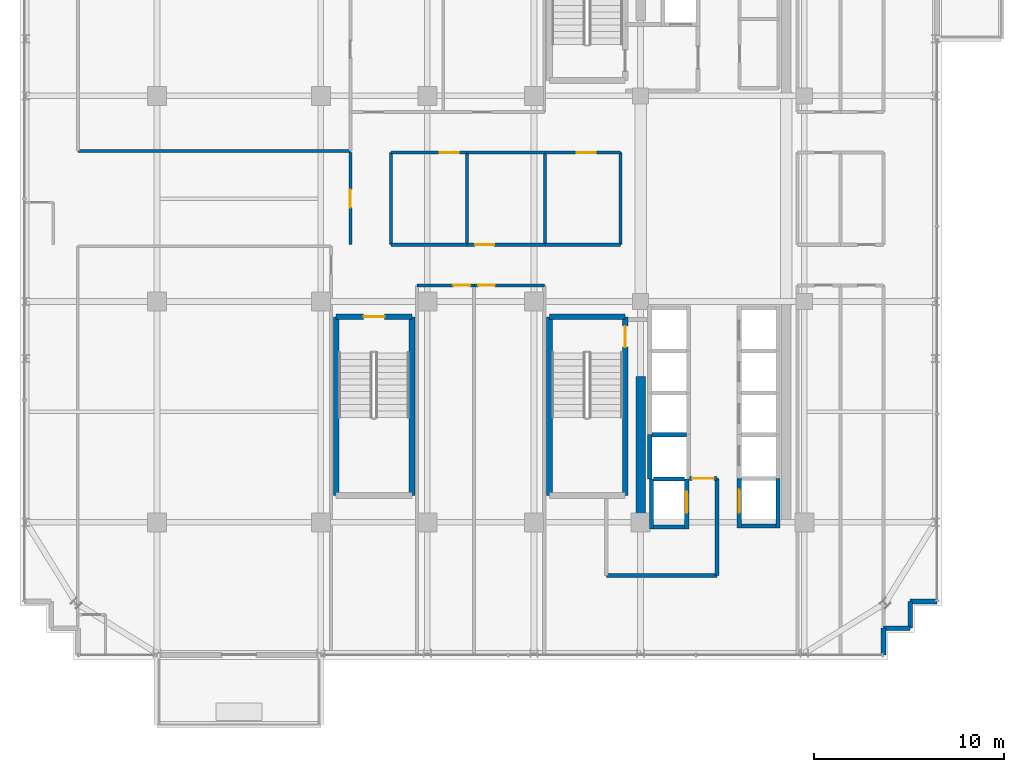
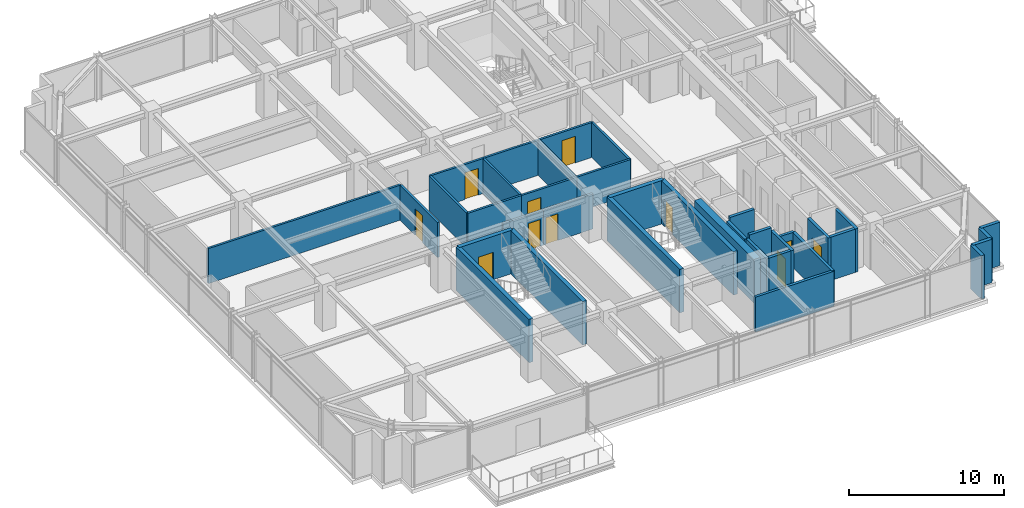
# One storey, part 30 of 36: 37 walls, 11 doors, 11 openings.
"""IFC4 building model written with IfcOpenShell, lengths in metres."""

from ifc_helpers import new_model, si_unit, direction, frame, frame_2d, origin, place, context, subcontext, project, spatial, rectangle, extrude, source, transform, mapped, material, layer, layer_set, type_object, element, fill, save


model = new_model("IFC4")

# Units and contexts
model_context = context("Model", 3, precision=1e-05, world=origin(), true_north=direction((0.0, 1.0)))
body_context = subcontext(model_context, "Body", "Model", "MODEL_VIEW")
ifc_project = project(units=[si_unit("LENGTHUNIT", "METRE"), si_unit("AREAUNIT", "SQUARE_METRE"), si_unit("VOLUMEUNIT", "CUBIC_METRE"), si_unit("PLANEANGLEUNIT", "RADIAN"), si_unit("MASSUNIT", "GRAM", prefix="KILO")], contexts=[model_context])

# Site, building, storey
site_placement = place(None, origin())
site = spatial("IfcSite", under=ifc_project, at=site_placement, CompositionType="ELEMENT")
building_placement = place(site_placement, origin())
building = spatial("IfcBuilding", under=site, at=building_placement, Name="Nahalor Promenade Grand Hotel", CompositionType="ELEMENT")
storey_placement = place(building_placement, frame((0.0, 0.0, 223.39990234375)))
storey = spatial("IfcBuildingStorey", under=building, at=storey_placement, Name="L57", CompositionType="ELEMENT", Elevation=223.39990234375)

# Walls
ifc_material_1 = material(Name="Concrete B-60 (C50/60)", Category="concrete")
ifc_layer_1 = layer(ifc_material_1, 0.5)
ifc_layer_set_1 = layer_set([ifc_layer_1], Name="Concrete B-60 (C50/60)")
wall_type_1 = type_object("IfcWallType", Name="Wall-CoreShear-500", PredefinedType="SHEAR", material=ifc_layer_set_1)
shared_shape_1 = source(origin(), body_context, "Body", "SweptSolid", [
    extrude(rectangle(XDim=7.64990234375, YDim=0.5, at=frame_2d((3.824951171875, 0.0))), origin(), (0.0, 0.0, 1.0), 3.41015625),
])
wall_1_placement = place(storey_placement, frame((8.39990234375, -17.0, 0.0), z_axis=(0.0, 0.0, 1.0), x_axis=(0.0, 1.0, 0.0)))
element("IfcWall", 1, at=wall_1_placement, inside=storey, type_object=wall_type_1, Name="CWALL-L57-SW", PredefinedType="SHEAR", context=body_context, shape_type="MappedRepresentation", body=[
    mapped(shared_shape_1, transform((0.0, 0.0, 0.0), scale=1.0)),
])
ifc_material_2 = material(Name="Concrete B-50 (C40/50)", Category="concrete")
ifc_layer_2 = layer(ifc_material_2, 0.300048828125)
ifc_layer_set_2 = layer_set([ifc_layer_2], Name="Concrete B-50 (C40/50)")
wall_type_2 = type_object("IfcWallType", Name="Wall-ShaftShear-300", PredefinedType="SHEAR", material=ifc_layer_set_2)
shared_shape_2 = source(origin(), body_context, "Body", "SweptSolid", [
    extrude(rectangle(XDim=3.97998046875, YDim=0.300048828125, at=frame_2d((1.989990234375, 0.0))), origin(), (0.0, 0.0, 1.0), 3.41015625),
])
wall_2_placement = place(storey_placement, frame((3.610107421875, -6.2099609375, 0.0), z_axis=(0.0, 0.0, 1.0), x_axis=(1.0, 0.0, 0.0)))
element("IfcWall", 2, at=wall_2_placement, inside=storey, type_object=wall_type_2, Name="L57 Exit Stair ST2 Shaft Wall N", PredefinedType="SHEAR", context=body_context, shape_type="MappedRepresentation", body=[
    mapped(shared_shape_2, transform((0.0, 0.0, 0.0), scale=1.0)),
])

# Wall, opening, door
wall_3_placement = place(storey_placement, frame((-7.590087890625, -6.2099609375, 0.0), z_axis=(0.0, 0.0, 1.0), x_axis=(1.0, 0.0, 0.0)))
wall_3 = element("IfcWall", 3, at=wall_3_placement, inside=storey, type_object=wall_type_2, Name="L57 Exit Stair ST3 Shaft Wall N", PredefinedType="SHEAR", context=body_context, shape_type="MappedRepresentation", body=[
    mapped(shared_shape_2, transform((0.0, 0.0, 0.0), scale=1.0)),
])
opening_1_placement = place(wall_3_placement, frame((1.43994140625, 0.0, 0.0)))
opening_1 = element("IfcOpeningElement", 4, at=opening_1_placement, cuts=wall_3, Name="Opening D-ST1", PredefinedType="OPENING", context=body_context, shape_type="SweptSolid", body=[
    extrude(rectangle(XDim=1.10009765625, YDim=2.14990234375, at=frame_2d((0.550048828125, 1.074951171875))), frame((0.0, 0.159912109375, 0.0), z_axis=(0.0, -1.0, 0.0), x_axis=(1.0, 0.0, 0.0)), (0.0, 0.0, 1.0), 0.320068359375),
])
ifc_material_3 = material(Name="Steel S355JR", Category="steel")
door_type_1 = type_object("IfcDoorType", Name="Door-StairFire-1100", OperationType="NOTDEFINED", PredefinedType="DOOR", material=ifc_material_3)
shared_shape_3 = source(origin(), body_context, "Body", "SweptSolid", [
    extrude(rectangle(XDim=1.10009765625, YDim=2.14990234375, at=frame_2d((0.550048828125, 1.074951171875))), frame((0.0, 0.02490234375, 0.0), z_axis=(0.0, -1.0, 0.0), x_axis=(1.0, 0.0, 0.0)), (0.0, 0.0, 1.0), 0.050048828125),
])
door_1_placement = place(opening_1_placement, frame((1.10009765625, 0.0, 0.0), z_axis=(0.0, 0.0, 1.0), x_axis=(-1.0, 0.0, 0.0)))
door_1 = element("IfcDoor", 5, at=door_1_placement, inside=storey, type_object=door_type_1, Name="DR-STAIR-ST3-L57", OperationType="SINGLE_SWING_RIGHT", OverallHeight=2.14990234375, OverallWidth=1.10009765625, PredefinedType="DOOR", context=body_context, shape_type="MappedRepresentation", body=[
    mapped(shared_shape_3, transform((0.0, 0.0, 0.0), scale=1.0)),
])
fill(opening_1, door_1)

# Wall
shared_shape_4 = source(origin(), body_context, "Body", "SweptSolid", [
    extrude(rectangle(XDim=9.380126953125, YDim=0.300048828125, at=frame_2d((4.68994140625, 0.0))), origin(), (0.0, 0.0, 1.0), 3.41015625),
])
wall_4_placement = place(storey_placement, frame((3.610107421875, -15.590087890625, 0.0), z_axis=(0.0, 0.0, 1.0), x_axis=(0.0, 1.0, 0.0)))
element("IfcWall", 6, at=wall_4_placement, inside=storey, type_object=wall_type_2, Name="L57 Exit Stair ST2 Shaft Wall W", PredefinedType="SHEAR", context=body_context, shape_type="MappedRepresentation", body=[
    mapped(shared_shape_4, transform((0.0, 0.0, 0.0), scale=1.0)),
])

# Wall, opening, door
wall_5_placement = place(storey_placement, frame((7.590087890625, -15.590087890625, 0.0), z_axis=(0.0, 0.0, 1.0), x_axis=(0.0, 1.0, 0.0)))
wall_5 = element("IfcWall", 7, at=wall_5_placement, inside=storey, type_object=wall_type_2, Name="L57 Exit Stair ST2 Shaft Wall E", PredefinedType="SHEAR", context=body_context, shape_type="MappedRepresentation", body=[
    mapped(shared_shape_4, transform((0.0, 0.0, 0.0), scale=1.0)),
])
opening_2_placement = place(wall_5_placement, frame((7.7900390625, 0.0, 0.0)))
opening_2 = element("IfcOpeningElement", 8, at=opening_2_placement, cuts=wall_5, Name="Opening D-ST1", PredefinedType="OPENING", context=body_context, shape_type="SweptSolid", body=[
    extrude(rectangle(XDim=1.10009765625, YDim=2.14990234375, at=frame_2d((0.550048828125, 1.074951171875))), frame((0.0, 0.159912109375, 0.0), z_axis=(0.0, -1.0, 0.0), x_axis=(1.0, 0.0, 0.0)), (0.0, 0.0, 1.0), 0.320068359375),
])
door_2_placement = place(opening_2_placement, origin())
door_2 = element("IfcDoor", 9, at=door_2_placement, inside=storey, type_object=door_type_1, Name="DR-STAIR-ST2-L57", OperationType="SINGLE_SWING_RIGHT", OverallHeight=2.14990234375, OverallWidth=1.10009765625, PredefinedType="DOOR", context=body_context, shape_type="MappedRepresentation", body=[
    mapped(shared_shape_3, transform((0.0, 0.0, 0.0), scale=1.0)),
])
fill(opening_2, door_2)

# Walls
for number, where, z_axis, x_axis, name in (
    (10, (-7.590087890625, -15.590087890625, 0.0), (0.0, 0.0, 1.0), (0.0, 1.0, 0.0), "L57 Exit Stair ST3 Shaft Wall W"),
    (11, (-3.610107421875, -15.590087890625, 0.0), (0.0, 0.0, 1.0), (0.0, 1.0, 0.0), "L57 Exit Stair ST3 Shaft Wall E"),
):
    element("IfcWall", number, at=place(storey_placement, frame(where, z_axis=z_axis, x_axis=x_axis)), inside=storey, type_object=wall_type_2, Name=name, PredefinedType="SHEAR", context=body_context, shape_type="MappedRepresentation", body=[
        mapped(shared_shape_4, transform((0.0, 0.0, 0.0), scale=1.0)),
    ])
ifc_layer_3 = layer(ifc_material_2, 0.219970703125)
ifc_layer_set_3 = layer_set([ifc_layer_3], Name="Concrete B-50 (C40/50)")
wall_type_3 = type_object("IfcWallType", Name="Wall-LiftShaft-220", PredefinedType="SHEAR", material=ifc_layer_set_3)
shared_shape_5 = source(origin(), body_context, "Body", "SweptSolid", [
    extrude(rectangle(XDim=1.820068359375, YDim=0.219970703125, at=frame_2d((0.91015625, 0.0))), origin(), (0.0, 0.0, 1.0), 3.41015625),
])
wall_6_placement = place(storey_placement, frame((13.68994140625, -17.199951171875, 0.0), z_axis=(0.0, 0.0, 1.0), x_axis=(1.0, 0.0, 0.0)))
element("IfcWall", 12, at=wall_6_placement, inside=storey, type_object=wall_type_3, Name="L57 Lift SV2 Hoistway Wall S", PredefinedType="SHEAR", context=body_context, shape_type="MappedRepresentation", body=[
    mapped(shared_shape_5, transform((0.0, 0.0, 0.0), scale=1.0)),
])
shared_shape_6 = source(origin(), body_context, "Body", "SweptSolid", [
    extrude(rectangle(XDim=1.820068359375, YDim=0.219970703125, at=frame_2d((0.91015625, 0.0))), origin(), (0.0, 0.0, 1.0), 3.7001953125),
])
wall_7_placement = place(storey_placement, frame((8.989990234375, -12.39990234375, 0.0), z_axis=(0.0, 0.0, 1.0), x_axis=(1.0, 0.0, 0.0)))
element("IfcWall", 13, at=wall_7_placement, inside=storey, type_object=wall_type_3, Name="L57 Lift PL12 Hoistway Wall N", PredefinedType="SHEAR", context=body_context, shape_type="MappedRepresentation", body=[
    mapped(shared_shape_6, transform((0.0, 0.0, 0.0), scale=1.0)),
])
shared_shape_7 = source(origin(), body_context, "Body", "SweptSolid", [
    extrude(rectangle(XDim=2.3251953125, YDim=0.219970703125, at=frame_2d((1.16259765625, 0.0))), origin(), (0.0, 0.0, 1.0), 3.41015625),
])
wall_8_placement = place(storey_placement, frame((8.8798828125, -14.72509765625, 0.0), z_axis=(0.0, 0.0, 1.0), x_axis=(0.0, 1.0, 0.0)))
element("IfcWall", 14, at=wall_8_placement, inside=storey, type_object=wall_type_3, Name="L57 Lift PL12 Hoistway Wall W", PredefinedType="SHEAR", context=body_context, shape_type="MappedRepresentation", body=[
    mapped(shared_shape_7, transform((0.0, 0.0, 0.0), scale=1.0)),
])
shared_shape_8 = source(origin(), body_context, "Body", "SweptSolid", [
    extrude(rectangle(XDim=2.635009765625, YDim=0.219970703125, at=frame_2d((1.3173828125, 0.0))), origin(), (0.0, 0.0, 1.0), 3.41015625),
])
wall_9_placement = place(storey_placement, frame((8.97998046875, -17.360107421875, 0.0), z_axis=(0.0, 0.0, 1.0), x_axis=(0.0, 1.0, 0.0)))
element("IfcWall", 15, at=wall_9_placement, inside=storey, type_object=wall_type_3, Name="L57 Lift FL2 Hoistway Wall W", PredefinedType="SHEAR", context=body_context, shape_type="MappedRepresentation", body=[
    mapped(shared_shape_8, transform((0.0, 0.0, 0.0), scale=1.0)),
])

# Wall, opening, door
wall_10_placement = place(storey_placement, frame((10.820068359375, -17.360107421875, 0.0), z_axis=(0.0, 0.0, 1.0), x_axis=(0.0, 1.0, 0.0)))
wall_10 = element("IfcWall", 16, at=wall_10_placement, inside=storey, type_object=wall_type_3, Name="L57 Lift FL2 Hoistway Wall E", PredefinedType="SHEAR", context=body_context, shape_type="MappedRepresentation", body=[
    mapped(shared_shape_8, transform((0.0, 0.0, 0.0), scale=1.0)),
])
opening_3_placement = place(wall_10_placement, frame((0.860107421875, 0.0, 0.0)))
opening_3 = element("IfcOpeningElement", 17, at=opening_3_placement, cuts=wall_10, Name="Opening LD-02", PredefinedType="OPENING", context=body_context, shape_type="SweptSolid", body=[
    extrude(rectangle(XDim=1.10009765625, YDim=2.199951171875, at=frame_2d((0.550048828125, 1.10009765625))), frame((0.0, 0.119873046875, 0.0), z_axis=(0.0, -1.0, 0.0), x_axis=(1.0, 0.0, 0.0)), (0.0, 0.0, 1.0), 0.239990234375),
])
door_type_2 = type_object("IfcDoorType", Name="Door-LiftFF-1100", OperationType="DOUBLE_DOOR_SLIDING", PredefinedType="DOOR", material=ifc_material_3)
shared_shape_9 = source(origin(), body_context, "Body", "SweptSolid", [
    extrude(rectangle(XDim=1.10009765625, YDim=2.199951171875, at=frame_2d((0.550048828125, 1.10009765625))), frame((0.0, 0.02490234375, 0.0), z_axis=(0.0, -1.0, 0.0), x_axis=(1.0, 0.0, 0.0)), (0.0, 0.0, 1.0), 0.050048828125),
])
door_3_placement = place(opening_3_placement, frame((1.10009765625, 0.0, 0.0), z_axis=(0.0, 0.0, 1.0), x_axis=(-1.0, 0.0, 0.0)))
door_3 = element("IfcDoor", 18, at=door_3_placement, inside=storey, type_object=door_type_2, Name="DR-LIFT-FL2-L57", OperationType="DOUBLE_DOOR_SLIDING", OverallHeight=2.199951171875, OverallWidth=1.10009765625, PredefinedType="DOOR", context=body_context, shape_type="MappedRepresentation", body=[
    mapped(shared_shape_9, transform((0.0, 0.0, 0.0), scale=1.0)),
])
fill(opening_3, door_3)

# Walls
shared_shape_10 = source(origin(), body_context, "Body", "SweptSolid", [
    extrude(rectangle(XDim=1.619873046875, YDim=0.219970703125, at=frame_2d((0.81005859375, 0.0))), origin(), (0.0, 0.0, 1.0), 3.41015625),
])
wall_11_placement = place(storey_placement, frame((9.090087890625, -17.25, 0.0), z_axis=(0.0, 0.0, 1.0), x_axis=(1.0, 0.0, 0.0)))
element("IfcWall", 19, at=wall_11_placement, inside=storey, type_object=wall_type_3, Name="L57 Lift FL2 Hoistway Wall S", PredefinedType="SHEAR", context=body_context, shape_type="MappedRepresentation", body=[
    mapped(shared_shape_10, transform((0.0, 0.0, 0.0), scale=1.0)),
])
shared_shape_11 = source(origin(), body_context, "Body", "SweptSolid", [
    extrude(rectangle(XDim=1.619873046875, YDim=0.219970703125, at=frame_2d((0.81005859375, 0.0))), origin(), (0.0, 0.0, 1.0), 3.7001953125),
])
wall_12_placement = place(storey_placement, frame((9.090087890625, -14.72509765625, 0.0), z_axis=(0.0, 0.0, 1.0), x_axis=(1.0, 0.0, 0.0)))
element("IfcWall", 20, at=wall_12_placement, inside=storey, type_object=wall_type_3, Name="L57 Lift FL2 Hoistway Wall N", PredefinedType="SHEAR", context=body_context, shape_type="MappedRepresentation", body=[
    mapped(shared_shape_11, transform((0.0, 0.0, 0.0), scale=1.0)),
])

# Wall, opening, door
shared_shape_12 = source(origin(), body_context, "Body", "SweptSolid", [
    extrude(rectangle(XDim=2.610107421875, YDim=0.219970703125, at=frame_2d((1.30517578125, 0.0))), origin(), (0.0, 0.0, 1.0), 3.41015625),
])
wall_13_placement = place(storey_placement, frame((13.580078125, -17.31005859375, 0.0), z_axis=(0.0, 0.0, 1.0), x_axis=(0.0, 1.0, 0.0)))
wall_13 = element("IfcWall", 21, at=wall_13_placement, inside=storey, type_object=wall_type_3, Name="L57 Lift SV2 Hoistway Wall W", PredefinedType="SHEAR", context=body_context, shape_type="MappedRepresentation", body=[
    mapped(shared_shape_12, transform((0.0, 0.0, 0.0), scale=1.0)),
])
opening_4_placement = place(wall_13_placement, frame((0.81005859375, 0.0, 0.0)))
opening_4 = element("IfcOpeningElement", 22, at=opening_4_placement, cuts=wall_13, Name="Opening LD-03", PredefinedType="OPENING", context=body_context, shape_type="SweptSolid", body=[
    extrude(rectangle(XDim=1.199951171875, YDim=2.199951171875, at=frame_2d((0.60009765625, 1.10009765625))), frame((0.0, 0.119873046875, 0.0), z_axis=(0.0, -1.0, 0.0), x_axis=(1.0, 0.0, 0.0)), (0.0, 0.0, 1.0), 0.239990234375),
])
door_type_3 = type_object("IfcDoorType", Name="Door-LiftService-1200", OperationType="DOUBLE_DOOR_SLIDING", PredefinedType="DOOR", material=ifc_material_3)
shared_shape_13 = source(origin(), body_context, "Body", "SweptSolid", [
    extrude(rectangle(XDim=1.199951171875, YDim=2.199951171875, at=frame_2d((0.60009765625, 1.10009765625))), frame((0.0, 0.02490234375, 0.0), z_axis=(0.0, -1.0, 0.0), x_axis=(1.0, 0.0, 0.0)), (0.0, 0.0, 1.0), 0.050048828125),
])
door_4_placement = place(opening_4_placement, origin())
door_4 = element("IfcDoor", 23, at=door_4_placement, inside=storey, type_object=door_type_3, Name="DR-LIFT-SV2-L57", OperationType="DOUBLE_DOOR_SLIDING", OverallHeight=2.199951171875, OverallWidth=1.199951171875, PredefinedType="DOOR", context=body_context, shape_type="MappedRepresentation", body=[
    mapped(shared_shape_13, transform((0.0, 0.0, 0.0), scale=1.0)),
])
fill(opening_4, door_4)

# Walls
wall_14_placement = place(storey_placement, frame((15.6201171875, -17.31005859375, 0.0), z_axis=(0.0, 0.0, 1.0), x_axis=(0.0, 1.0, 0.0)))
element("IfcWall", 24, at=wall_14_placement, inside=storey, type_object=wall_type_3, Name="L57 Lift SV2 Hoistway Wall E", PredefinedType="SHEAR", context=body_context, shape_type="MappedRepresentation", body=[
    mapped(shared_shape_12, transform((0.0, 0.0, 0.0), scale=1.0)),
])
ifc_material_4 = material(Name="Concrete B-40 (C32/40)", Category="concrete")
ifc_layer_4 = layer(ifc_material_4, 0.25)
ifc_layer_set_4 = layer_set([ifc_layer_4], Name="Concrete B-40 (C32/40)")
wall_type_4 = type_object("IfcWallType", Name="Wall-BronzePier-250", PredefinedType="STANDARD", material=ifc_layer_set_4)
shared_shape_14 = source(origin(), body_context, "Body", "SweptSolid", [
    extrude(rectangle(XDim=1.39990234375, YDim=0.25, at=frame_2d((0.699951171875, 0.0))), origin(), (0.0, 0.0, 1.0), 3.41015625),
])
for number, where, z_axis, x_axis, name in (
    (25, (21.159912109375, -23.9599609375, 0.0), (0.0, 0.0, 1.0), (0.0, 1.0, 0.0), "W-L57-SR-01"),
    (26, (22.56005859375, -21.159912109375, 0.0), (0.0, 0.0, 1.0), (1.0, 0.0, 0.0), "W-L57-SR-04"),
):
    element("IfcWall", number, at=place(storey_placement, frame(where, z_axis=z_axis, x_axis=x_axis)), inside=storey, type_object=wall_type_4, Name=name, PredefinedType="STANDARD", context=body_context, shape_type="MappedRepresentation", body=[
        mapped(shared_shape_14, transform((0.0, 0.0, 0.0), scale=1.0)),
    ])
shared_shape_15 = source(origin(), body_context, "Body", "SweptSolid", [
    extrude(rectangle(XDim=1.400146484375, YDim=0.25, at=frame_2d((0.7001953125, 0.0))), origin(), (0.0, 0.0, 1.0), 3.41015625),
])
for number, where, z_axis, x_axis, name in (
    (27, (21.159912109375, -22.56005859375, 0.0), (0.0, 0.0, 1.0), (1.0, 0.0, 0.0), "W-L57-SR-02"),
    (28, (22.56005859375, -22.56005859375, 0.0), (0.0, 0.0, 1.0), (0.0, 1.0, 0.0), "W-L57-SR-03"),
):
    element("IfcWall", number, at=place(storey_placement, frame(where, z_axis=z_axis, x_axis=x_axis)), inside=storey, type_object=wall_type_4, Name=name, PredefinedType="STANDARD", context=body_context, shape_type="MappedRepresentation", body=[
        mapped(shared_shape_15, transform((0.0, 0.0, 0.0), scale=1.0)),
    ])
ifc_layer_5 = layer(ifc_material_4, 0.199951171875)
ifc_layer_set_5 = layer_set([ifc_layer_5], Name="Concrete B-40 (C32/40)")
wall_type_5 = type_object("IfcWallType", Name="Wall-PartFire-200", PredefinedType="PARTITIONING", material=ifc_layer_set_5)
shared_shape_16 = source(origin(), body_context, "Body", "SweptSolid", [
    extrude(rectangle(XDim=5.81982421875, YDim=0.199951171875, at=frame_2d((2.909912109375, 0.0))), origin(), (0.0, 0.0, 1.0), 2.75),
])
wall_15_placement = place(storey_placement, frame((6.60009765625, -19.800048828125, 0.0), z_axis=(0.0, 0.0, 1.0), x_axis=(1.0, 0.0, 0.0)))
element("IfcWall", 29, at=wall_15_placement, inside=storey, type_object=wall_type_5, Name="W-L57-FF2-S1", PredefinedType="PARTITIONING", context=body_context, shape_type="MappedRepresentation", body=[
    mapped(shared_shape_16, transform((0.0, 0.0, 0.0), scale=1.0)),
])
shared_shape_17 = source(origin(), body_context, "Body", "SweptSolid", [
    extrude(rectangle(XDim=5.10009765625, YDim=0.199951171875, at=frame_2d((2.550048828125, 0.0))), origin(), (0.0, 0.0, 1.0), 2.75),
])
wall_16_placement = place(storey_placement, frame((12.419921875, -19.800048828125, 0.0), z_axis=(0.0, 0.0, 1.0), x_axis=(0.0, 1.0, 0.0)))
element("IfcWall", 30, at=wall_16_placement, inside=storey, type_object=wall_type_5, Name="W-L57-FF2-E", PredefinedType="PARTITIONING", context=body_context, shape_type="MappedRepresentation", body=[
    mapped(shared_shape_17, transform((0.0, 0.0, 0.0), scale=1.0)),
])

# Wall, opening, door
shared_shape_18 = source(origin(), body_context, "Body", "SweptSolid", [
    extrude(rectangle(XDim=1.4599609375, YDim=0.199951171875, at=frame_2d((0.72998046875, 0.0))), origin(), (0.0, 0.0, 1.0), 2.75),
])
wall_17_placement = place(storey_placement, frame((10.9599609375, -14.699951171875, 0.0), z_axis=(0.0, 0.0, 1.0), x_axis=(1.0, 0.0, 0.0)))
wall_17 = element("IfcWall", 31, at=wall_17_placement, inside=storey, type_object=wall_type_5, Name="W-L57-FF2-N1", PredefinedType="PARTITIONING", context=body_context, shape_type="MappedRepresentation", body=[
    mapped(shared_shape_18, transform((0.0, 0.0, 0.0), scale=1.0)),
])
opening_5_placement = place(wall_17_placement, frame((0.14501953125, 0.0, 0.0)))
opening_5 = element("IfcOpeningElement", 32, at=opening_5_placement, cuts=wall_17, Name="Opening D-FF1", PredefinedType="OPENING", context=body_context, shape_type="SweptSolid", body=[
    extrude(rectangle(XDim=1.14990234375, YDim=2.14990234375, at=frame_2d((0.574951171875, 1.074951171875))), frame((0.0, 0.10986328125, 0.0), z_axis=(0.0, -1.0, 0.0), x_axis=(1.0, 0.0, 0.0)), (0.0, 0.0, 1.0), 0.219970703125),
])
door_type_4 = type_object("IfcDoorType", Name="Door-FFLobby-1150", OperationType="NOTDEFINED", PredefinedType="DOOR", material=ifc_material_3)
shared_shape_19 = source(origin(), body_context, "Body", "SweptSolid", [
    extrude(rectangle(XDim=1.14990234375, YDim=2.14990234375, at=frame_2d((0.574951171875, 1.074951171875))), frame((0.0, 0.02490234375, 0.0), z_axis=(0.0, -1.0, 0.0), x_axis=(1.0, 0.0, 0.0)), (0.0, 0.0, 1.0), 0.050048828125),
])
door_5_placement = place(opening_5_placement, origin())
door_5 = element("IfcDoor", 33, at=door_5_placement, inside=storey, type_object=door_type_4, Name="DR-L57-FFL2", OperationType="SINGLE_SWING_LEFT", OverallHeight=2.14990234375, OverallWidth=1.14990234375, PredefinedType="DOOR", context=body_context, shape_type="MappedRepresentation", body=[
    mapped(shared_shape_19, transform((0.0, 0.0, 0.0), scale=1.0)),
])
fill(opening_5, door_5)

ifc_material_5 = material(Name="Acoustic Mineral Gypsum", Category="gypsum")
ifc_layer_6 = layer(ifc_material_5, 0.159912109375)
ifc_layer_set_6 = layer_set([ifc_layer_6], Name="Acoustic Mineral Gypsum")
wall_type_6 = type_object("IfcWallType", Name="Wall-PartCorridor-160", PredefinedType="PARTITIONING", material=ifc_layer_set_6)
shared_shape_20 = source(origin(), body_context, "Body", "SweptSolid", [
    extrude(rectangle(XDim=4.83984375, YDim=0.159912109375, at=frame_2d((2.419921875, 0.0))), origin(), (0.0, 0.0, 1.0), 2.75),
])
wall_18_placement = place(storey_placement, frame((-6.85009765625, -2.419921875, 0.0), z_axis=(0.0, 0.0, 1.0), x_axis=(0.0, 1.0, 0.0)))
wall_18 = element("IfcWall", 34, at=wall_18_placement, inside=storey, type_object=wall_type_6, Name="W-L57-WEST-E", PredefinedType="PARTITIONING", context=body_context, shape_type="MappedRepresentation", body=[
    mapped(shared_shape_20, transform((0.0, 0.0, 0.0), scale=1.0)),
])
opening_6_placement = place(wall_18_placement, frame((1.945068359375, 0.0, 0.0)))
opening_6 = element("IfcOpeningElement", 35, at=opening_6_placement, cuts=wall_18, Name="Opening D-01", PredefinedType="OPENING", context=body_context, shape_type="SweptSolid", body=[
    extrude(rectangle(XDim=0.949951171875, YDim=2.10009765625, at=frame_2d((0.47509765625, 1.050048828125))), frame((0.0, 0.08984375, 0.0), z_axis=(0.0, -1.0, 0.0), x_axis=(1.0, 0.0, 0.0)), (0.0, 0.0, 1.0), 0.179931640625),
])
ifc_material_6 = material(Name="Fire-Rated Timber Composite", Category="wood")
door_type_5 = type_object("IfcDoorType", Name="Door-GuestEntry-950", OperationType="NOTDEFINED", PredefinedType="DOOR", material=ifc_material_6)
shared_shape_21 = source(origin(), body_context, "Body", "SweptSolid", [
    extrude(rectangle(XDim=0.949951171875, YDim=2.10009765625, at=frame_2d((0.47509765625, 1.050048828125))), frame((0.0, 0.02490234375, 0.0), z_axis=(0.0, -1.0, 0.0), x_axis=(1.0, 0.0, 0.0)), (0.0, 0.0, 1.0), 0.050048828125),
])
door_6_placement = place(opening_6_placement, origin())
door_6 = element("IfcDoor", 36, at=door_6_placement, inside=storey, type_object=door_type_5, Name="DR-L57-W1-ENT", OperationType="SINGLE_SWING_RIGHT", OverallHeight=2.10009765625, OverallWidth=0.949951171875, PredefinedType="DOOR", context=body_context, shape_type="MappedRepresentation", body=[
    mapped(shared_shape_21, transform((0.0, 0.0, 0.0), scale=1.0)),
])
fill(opening_6, door_6)

# Walls
for number, where, z_axis, x_axis, name in (
    (37, (-4.699951171875, -2.419921875, 0.0), (0.0, 0.0, 1.0), (0.0, 1.0, 0.0), "W-L57-CM1-W"),
    (38, (-0.722900390625, -2.419921875, 0.0), (0.0, 0.0, 1.0), (0.0, 1.0, 0.0), "W-L57-CM1-E"),
    (39, (3.3740234375, -2.419921875, 0.0), (0.0, 0.0, 1.0), (0.0, 1.0, 0.0), "W-L57-CM2-E"),
    (40, (7.35009765625, -2.419921875, 0.0), (0.0, 0.0, 1.0), (0.0, 1.0, 0.0), "W-L57-CM3-E"),
):
    element("IfcWall", number, at=place(storey_placement, frame(where, z_axis=z_axis, x_axis=x_axis)), inside=storey, type_object=wall_type_6, Name=name, PredefinedType="PARTITIONING", context=body_context, shape_type="MappedRepresentation", body=[
        mapped(shared_shape_20, transform((0.0, 0.0, 0.0), scale=1.0)),
    ])
shared_shape_22 = source(origin(), body_context, "Body", "SweptSolid", [
    extrude(rectangle(XDim=14.309814453125, YDim=0.159912109375, at=frame_2d((7.15478515625, 0.0))), origin(), (0.0, 0.0, 1.0), 2.75),
])
wall_19_placement = place(storey_placement, frame((-21.159912109375, 2.5, 0.0), z_axis=(0.0, 0.0, 1.0), x_axis=(1.0, 0.0, 0.0)))
element("IfcWall", 41, at=wall_19_placement, inside=storey, type_object=wall_type_6, Name="W-L57-NW0A-S", PredefinedType="PARTITIONING", context=body_context, shape_type="MappedRepresentation", body=[
    mapped(shared_shape_22, transform((0.0, 0.0, 0.0), scale=1.0)),
])

# Wall, opening, door
shared_shape_23 = source(origin(), body_context, "Body", "SweptSolid", [
    extrude(rectangle(XDim=2.989990234375, YDim=0.159912109375, at=frame_2d((1.4951171875, 0.0))), origin(), (0.0, 0.0, 1.0), 2.75),
])
wall_20_placement = place(storey_placement, frame((-3.340087890625, -4.550048828125, 0.0), z_axis=(0.0, 0.0, 1.0), x_axis=(1.0, 0.0, 0.0)))
wall_20 = element("IfcWall", 42, at=wall_20_placement, inside=storey, type_object=wall_type_6, Name="W-L57-SCB1-N", PredefinedType="PARTITIONING", context=body_context, shape_type="MappedRepresentation", body=[
    mapped(shared_shape_23, transform((0.0, 0.0, 0.0), scale=1.0)),
])
opening_7_placement = place(wall_20_placement, frame((1.89990234375, 0.0, 0.0)))
opening_7 = element("IfcOpeningElement", 43, at=opening_7_placement, cuts=wall_20, Name="Opening D-03", PredefinedType="OPENING", context=body_context, shape_type="SweptSolid", body=[
    extrude(rectangle(XDim=0.8798828125, YDim=2.10009765625, at=frame_2d((0.43994140625, 1.050048828125))), frame((0.0, 0.08984375, 0.0), z_axis=(0.0, -1.0, 0.0), x_axis=(1.0, 0.0, 0.0)), (0.0, 0.0, 1.0), 0.179931640625),
])
door_type_6 = type_object("IfcDoorType", Name="Door-BathSwing-880", OperationType="NOTDEFINED", PredefinedType="DOOR", material=ifc_material_6)
shared_shape_24 = source(origin(), body_context, "Body", "SweptSolid", [
    extrude(rectangle(XDim=0.8798828125, YDim=2.10009765625, at=frame_2d((0.43994140625, 1.050048828125))), frame((0.0, 0.02490234375, 0.0), z_axis=(0.0, -1.0, 0.0), x_axis=(1.0, 0.0, 0.0)), (0.0, 0.0, 1.0), 0.050048828125),
])
door_7_placement = place(opening_7_placement, frame((0.8798828125, 0.0, 0.0), z_axis=(0.0, 0.0, 1.0), x_axis=(-1.0, 0.0, 0.0)))
door_7 = element("IfcDoor", 44, at=door_7_placement, inside=storey, type_object=door_type_6, Name="DR-L57-SCB1", OperationType="SINGLE_SWING_LEFT", OverallHeight=2.10009765625, OverallWidth=0.8798828125, PredefinedType="DOOR", context=body_context, shape_type="MappedRepresentation", body=[
    mapped(shared_shape_24, transform((0.0, 0.0, 0.0), scale=1.0)),
])
fill(opening_7, door_7)

shared_shape_25 = source(origin(), body_context, "Body", "SweptSolid", [
    extrude(rectangle(XDim=3.690185546875, YDim=0.159912109375, at=frame_2d((1.84521484375, 0.0))), origin(), (0.0, 0.0, 1.0), 2.75),
])
wall_21_placement = place(storey_placement, frame((-0.35009765625, -4.550048828125, 0.0), z_axis=(0.0, 0.0, 1.0), x_axis=(1.0, 0.0, 0.0)))
wall_21 = element("IfcWall", 45, at=wall_21_placement, inside=storey, type_object=wall_type_6, Name="W-L57-SCB2-N", PredefinedType="PARTITIONING", context=body_context, shape_type="MappedRepresentation", body=[
    mapped(shared_shape_25, transform((0.0, 0.0, 0.0), scale=1.0)),
])
opening_8_placement = place(wall_21_placement, frame((0.2099609375, 0.0, 0.0)))
opening_8 = element("IfcOpeningElement", 46, at=opening_8_placement, cuts=wall_21, Name="Opening D-03", PredefinedType="OPENING", context=body_context, shape_type="SweptSolid", body=[
    extrude(rectangle(XDim=0.8798828125, YDim=2.10009765625, at=frame_2d((0.43994140625, 1.050048828125))), frame((0.0, 0.08984375, 0.0), z_axis=(0.0, -1.0, 0.0), x_axis=(1.0, 0.0, 0.0)), (0.0, 0.0, 1.0), 0.179931640625),
])
door_8_placement = place(opening_8_placement, frame((0.8798828125, 0.0, 0.0), z_axis=(0.0, 0.0, 1.0), x_axis=(-1.0, 0.0, 0.0)))
door_8 = element("IfcDoor", 47, at=door_8_placement, inside=storey, type_object=door_type_6, Name="DR-L57-SCB2", OperationType="SINGLE_SWING_RIGHT", OverallHeight=2.10009765625, OverallWidth=0.8798828125, PredefinedType="DOOR", context=body_context, shape_type="MappedRepresentation", body=[
    mapped(shared_shape_24, transform((0.0, 0.0, 0.0), scale=1.0)),
])
fill(opening_8, door_8)

# Wall
shared_shape_26 = source(origin(), body_context, "Body", "SweptSolid", [
    extrude(rectangle(XDim=3.97705078125, YDim=0.159912109375, at=frame_2d((1.988525390625, 0.0))), origin(), (0.0, 0.0, 1.0), 2.75),
])
wall_22_placement = place(storey_placement, frame((-4.699951171875, -2.419921875, 0.0), z_axis=(0.0, 0.0, 1.0), x_axis=(1.0, 0.0, 0.0)))
element("IfcWall", 48, at=wall_22_placement, inside=storey, type_object=wall_type_6, Name="W-L57-CM1-S", PredefinedType="PARTITIONING", context=body_context, shape_type="MappedRepresentation", body=[
    mapped(shared_shape_26, transform((0.0, 0.0, 0.0), scale=1.0)),
])

# Wall, opening, door
wall_23_placement = place(storey_placement, frame((-4.699951171875, 2.419921875, 0.0), z_axis=(0.0, 0.0, 1.0), x_axis=(1.0, 0.0, 0.0)))
wall_23 = element("IfcWall", 49, at=wall_23_placement, inside=storey, type_object=wall_type_6, Name="W-L57-CM1-N", PredefinedType="PARTITIONING", context=body_context, shape_type="MappedRepresentation", body=[
    mapped(shared_shape_26, transform((0.0, 0.0, 0.0), scale=1.0)),
])
opening_9_placement = place(wall_23_placement, frame((2.549072265625, 0.0, 0.0)))
opening_9 = element("IfcOpeningElement", 50, at=opening_9_placement, cuts=wall_23, Name="Opening D-04", PredefinedType="OPENING", context=body_context, shape_type="SweptSolid", body=[
    extrude(rectangle(XDim=1.0, YDim=2.10009765625, at=frame_2d((0.5, 1.050048828125))), frame((0.0, 0.08984375, 0.0), z_axis=(0.0, -1.0, 0.0), x_axis=(1.0, 0.0, 0.0)), (0.0, 0.0, 1.0), 0.179931640625),
])
door_type_7 = type_object("IfcDoorType", Name="Door-ServiceFire-1000", OperationType="NOTDEFINED", PredefinedType="DOOR", material=ifc_material_3)
shared_shape_27 = source(origin(), body_context, "Body", "SweptSolid", [
    extrude(rectangle(XDim=1.0, YDim=2.10009765625, at=frame_2d((0.5, 1.050048828125))), frame((0.0, 0.02490234375, 0.0), z_axis=(0.0, -1.0, 0.0), x_axis=(1.0, 0.0, 0.0)), (0.0, 0.0, 1.0), 0.050048828125),
])
door_9_placement = place(opening_9_placement, frame((1.0, 0.0, 0.0), z_axis=(0.0, 0.0, 1.0), x_axis=(-1.0, 0.0, 0.0)))
door_9 = element("IfcDoor", 51, at=door_9_placement, inside=storey, type_object=door_type_7, Name="DR-L57-CM1", OperationType="SINGLE_SWING_LEFT", OverallHeight=2.10009765625, OverallWidth=1.0, PredefinedType="DOOR", context=body_context, shape_type="MappedRepresentation", body=[
    mapped(shared_shape_27, transform((0.0, 0.0, 0.0), scale=1.0)),
])
fill(opening_9, door_9)

shared_shape_28 = source(origin(), body_context, "Body", "SweptSolid", [
    extrude(rectangle(XDim=4.096923828125, YDim=0.159912109375, at=frame_2d((2.04833984375, 0.0))), origin(), (0.0, 0.0, 1.0), 2.75),
])
wall_24_placement = place(storey_placement, frame((-0.722900390625, -2.419921875, 0.0), z_axis=(0.0, 0.0, 1.0), x_axis=(1.0, 0.0, 0.0)))
wall_24 = element("IfcWall", 52, at=wall_24_placement, inside=storey, type_object=wall_type_6, Name="W-L57-CM2-S", PredefinedType="PARTITIONING", context=body_context, shape_type="MappedRepresentation", body=[
    mapped(shared_shape_28, transform((0.0, 0.0, 0.0), scale=1.0)),
])
opening_10_placement = place(wall_24_placement, frame((0.430908203125, 0.0, 0.0)))
opening_10 = element("IfcOpeningElement", 53, at=opening_10_placement, cuts=wall_24, Name="Opening D-04", PredefinedType="OPENING", context=body_context, shape_type="SweptSolid", body=[
    extrude(rectangle(XDim=1.0, YDim=2.10009765625, at=frame_2d((0.5, 1.050048828125))), frame((0.0, 0.08984375, 0.0), z_axis=(0.0, -1.0, 0.0), x_axis=(1.0, 0.0, 0.0)), (0.0, 0.0, 1.0), 0.179931640625),
])
door_10_placement = place(opening_10_placement, origin())
door_10 = element("IfcDoor", 54, at=door_10_placement, inside=storey, type_object=door_type_7, Name="DR-L57-CM2", OperationType="SINGLE_SWING_RIGHT", OverallHeight=2.10009765625, OverallWidth=1.0, PredefinedType="DOOR", context=body_context, shape_type="MappedRepresentation", body=[
    mapped(shared_shape_27, transform((0.0, 0.0, 0.0), scale=1.0)),
])
fill(opening_10, door_10)

# Walls
wall_25_placement = place(storey_placement, frame((-0.722900390625, 2.419921875, 0.0), z_axis=(0.0, 0.0, 1.0), x_axis=(1.0, 0.0, 0.0)))
element("IfcWall", 55, at=wall_25_placement, inside=storey, type_object=wall_type_6, Name="W-L57-CM2-N", PredefinedType="PARTITIONING", context=body_context, shape_type="MappedRepresentation", body=[
    mapped(shared_shape_28, transform((0.0, 0.0, 0.0), scale=1.0)),
])
shared_shape_29 = source(origin(), body_context, "Body", "SweptSolid", [
    extrude(rectangle(XDim=3.97607421875, YDim=0.159912109375, at=frame_2d((1.988037109375, 0.0))), origin(), (0.0, 0.0, 1.0), 2.75),
])
wall_26_placement = place(storey_placement, frame((3.3740234375, -2.419921875, 0.0), z_axis=(0.0, 0.0, 1.0), x_axis=(1.0, 0.0, 0.0)))
element("IfcWall", 56, at=wall_26_placement, inside=storey, type_object=wall_type_6, Name="W-L57-CM3-S", PredefinedType="PARTITIONING", context=body_context, shape_type="MappedRepresentation", body=[
    mapped(shared_shape_29, transform((0.0, 0.0, 0.0), scale=1.0)),
])

# Wall, opening, door
wall_27_placement = place(storey_placement, frame((3.3740234375, 2.419921875, 0.0), z_axis=(0.0, 0.0, 1.0), x_axis=(1.0, 0.0, 0.0)))
wall_27 = element("IfcWall", 57, at=wall_27_placement, inside=storey, type_object=wall_type_6, Name="W-L57-CM3-N", PredefinedType="PARTITIONING", context=body_context, shape_type="MappedRepresentation", body=[
    mapped(shared_shape_29, transform((0.0, 0.0, 0.0), scale=1.0)),
])
opening_11_placement = place(wall_27_placement, frame((1.680908203125, 0.0, 0.0)))
opening_11 = element("IfcOpeningElement", 58, at=opening_11_placement, cuts=wall_27, Name="Opening D-04", PredefinedType="OPENING", context=body_context, shape_type="SweptSolid", body=[
    extrude(rectangle(XDim=1.0, YDim=2.10009765625, at=frame_2d((0.5, 1.050048828125))), frame((0.0, 0.08984375, 0.0), z_axis=(0.0, -1.0, 0.0), x_axis=(1.0, 0.0, 0.0)), (0.0, 0.0, 1.0), 0.179931640625),
])
door_11_placement = place(opening_11_placement, frame((1.0, 0.0, 0.0), z_axis=(0.0, 0.0, 1.0), x_axis=(-1.0, 0.0, 0.0)))
door_11 = element("IfcDoor", 59, at=door_11_placement, inside=storey, type_object=door_type_7, Name="DR-L57-CM3", OperationType="SINGLE_SWING_LEFT", OverallHeight=2.10009765625, OverallWidth=1.0, PredefinedType="DOOR", context=body_context, shape_type="MappedRepresentation", body=[
    mapped(shared_shape_27, transform((0.0, 0.0, 0.0), scale=1.0)),
])
fill(opening_11, door_11)

save(model, "model.ifc")
